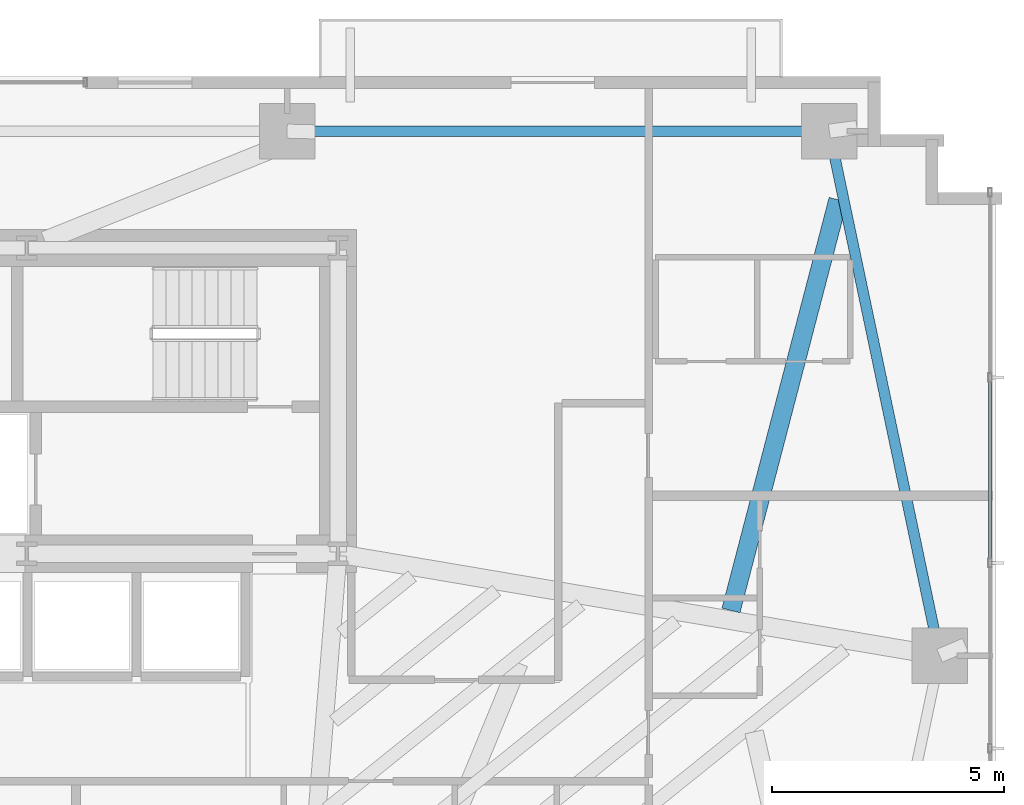
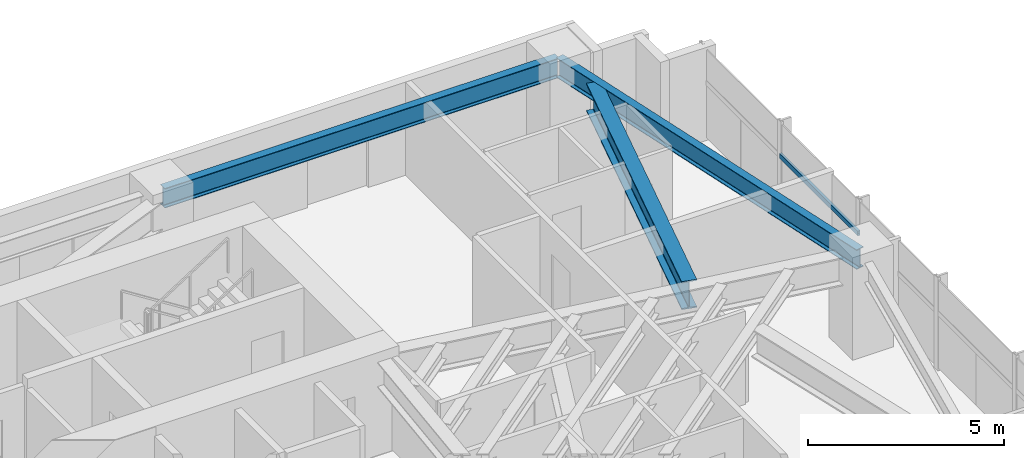
# One storey, part 16 of 25: 3 beams, 1 member, 1 element without a shape of its own.
"""IFC4 building model written with IfcOpenShell, lengths in metres."""

from ifc_helpers import new_model, si_unit, direction, frame, origin, origin_2d, place, context, subcontext, project, spatial, hollow_rectangle, i_section, extrude, source, transform, mapped, material, material_profile, profile_set, type_object, type_shapes, element, aggregate, save


model = new_model("IFC4")

# Units and contexts
model_context = context("Model", 3, precision=1e-05, world=origin(), true_north=direction((0.0, 1.0)))
body_context = subcontext(model_context, "Body", "Model", "MODEL_VIEW")
ifc_project = project(units=[si_unit("LENGTHUNIT", "METRE"), si_unit("AREAUNIT", "SQUARE_METRE"), si_unit("VOLUMEUNIT", "CUBIC_METRE"), si_unit("PLANEANGLEUNIT", "RADIAN"), si_unit("MASSUNIT", "GRAM", prefix="KILO")], contexts=[model_context])

# Site, building, storey
site_placement = place(None, origin())
site = spatial("IfcSite", under=ifc_project, at=site_placement, CompositionType="ELEMENT")
building_placement = place(site_placement, origin())
building = spatial("IfcBuilding", under=site, at=building_placement, Name="Astriad Promenade Condominiums", CompositionType="ELEMENT")
storey_placement = place(building_placement, frame((0.0, 0.0, 64.60009765625)))
storey = spatial("IfcBuildingStorey", under=building, at=storey_placement, Name="L18", CompositionType="ELEMENT", Elevation=64.60009765625)

# Beams
ifc_material_1 = material(Name="Steel ASTM A992 Grade 50", Category="steel")
ifc_material_profile_1 = material_profile(ifc_material_1, i_section(OverallWidth=0.22900390625, OverallDepth=0.612060546875, WebThickness=0.011962890625, FlangeThickness=0.01953125, FilletRadius=0.017822265625, at=origin_2d()), Name="W24X84")
ifc_profile_set_1 = profile_set([ifc_material_profile_1], Name="Steel ASTM A992 Grade 50")
beam_type_1 = type_object("IfcBeamType", Name="STEEL SPANDREL BEAM W24X84", PredefinedType="SPANDREL", material=ifc_profile_set_1)
shared_shape_1 = source(origin(), body_context, "Body", "SweptSolid", [
    extrude(i_section(OverallWidth=0.22900390625, OverallDepth=0.612060546875, WebThickness=0.011962890625, FlangeThickness=0.01953125, FilletRadius=0.017822265625, at=origin_2d()), origin(), (0.0, 0.0, 1.0), 11.619873046875),
])
beam_1_placement = place(storey_placement, frame((56.159912109375, 26.52001953125, 2.593994140625), z_axis=(-1.0, 0.0, 0.0), x_axis=(0.0, -1.0, 0.0)))
element("IfcBeam", 1, at=beam_1_placement, inside=storey, type_object=beam_type_1, Name="Perimeter Spandrel Beam SP-N4-L18", PredefinedType="SPANDREL", context=body_context, shape_type="MappedRepresentation", body=[
    mapped(shared_shape_1, transform((0.0, 0.0, 0.0), scale=1.0)),
])
shared_shape_2 = source(origin(), body_context, "Body", "SweptSolid", [
    extrude(i_section(OverallWidth=0.22900390625, OverallDepth=0.612060546875, WebThickness=0.011962890625, FlangeThickness=0.01953125, FilletRadius=0.017822265625, at=origin_2d()), origin(), (0.0, 0.0, 1.0), 11.48779296875),
])
type_shapes(beam_type_1, [shared_shape_1, shared_shape_2])
beam_2_placement = place(storey_placement, frame((58.57177734375, 15.239013671875, 2.593994140625), z_axis=(-0.205743776427, 0.978605895374, 0.0), x_axis=(-0.978605895374, -0.205743776427, 0.0)))
element("IfcBeam", 2, at=beam_2_placement, inside=storey, type_object=beam_type_1, Name="Perimeter Spandrel Beam SP-E2-L18", PredefinedType="SPANDREL", context=body_context, shape_type="MappedRepresentation", body=[
    mapped(shared_shape_2, transform((0.0, 0.0, 0.0), scale=1.0)),
])
ifc_material_profile_2 = material_profile(ifc_material_1, i_section(OverallWidth=0.4013671875, OverallDepth=0.877197265625, WebThickness=0.022216796875, FlangeThickness=0.039794921875, FilletRadius=0.02294921875, at=origin_2d()), Name="W33X263")
ifc_profile_set_2 = profile_set([ifc_material_profile_2], Name="Steel ASTM A992 Grade 50")
beam_type_2 = type_object("IfcBeamType", Name="STEEL TRANSFER CARRIER GIRDER W33X263", PredefinedType="BEAM", material=ifc_profile_set_2)
shared_shape_3 = source(origin(), body_context, "Body", "SweptSolid", [
    extrude(i_section(OverallWidth=0.4013671875, OverallDepth=0.877197265625, WebThickness=0.022216796875, FlangeThickness=0.039794921875, FilletRadius=0.02294921875, at=origin_2d()), origin(), (0.0, 0.0, 1.0), 9.158447265625),
])
type_shapes(beam_type_2, [shared_shape_3])
beam_3_placement = place(storey_placement, frame((54.07861328125, 16.176513671875, 2.461181640625), z_axis=(0.25236438305, 0.967632274249, 0.0), x_axis=(-0.967632274249, 0.25236438305, 0.0)))
element("IfcBeam", 3, at=beam_3_placement, inside=storey, type_object=beam_type_2, Name="Transfer Splice Carrier TRM-SP-PC10-L18", PredefinedType="BEAM", context=body_context, shape_type="MappedRepresentation", body=[
    mapped(shared_shape_3, transform((0.0, 0.0, 0.0), scale=1.0)),
])

# Curtain wall, member
ifc_material_2 = material(Name="Anodised aluminium Black Dark Glass Unitised", Category="aluminium")
curtain_wall_type = type_object("IfcCurtainWallType", Name="CW-B1-DARK", PredefinedType="USERDEFINED", material=ifc_material_2)
curtain_wall_placement = place(storey_placement, origin())
curtain_wall = element("IfcCurtainWall", 4, at=curtain_wall_placement, inside=storey, type_object=curtain_wall_type, Name="CW-L18-E", ObjectType="UNITISED_CURTAIN_WALL", PredefinedType="USERDEFINED")
ifc_material_3 = material(Name="Anodised aluminium 6063-T6 Black", Category="aluminium")
ifc_material_profile_3 = material_profile(ifc_material_3, hollow_rectangle(XDim=0.074951171875, YDim=0.14990234375, WallThickness=0.004150390625, at=origin_2d()), Name="ALU-TRN-75X150")
ifc_profile_set_3 = profile_set([ifc_material_profile_3], Name="Anodised aluminium 6063-T6 Black")
member_type = type_object("IfcMemberType", Name="TRN-ALU-TRN-75X150", PredefinedType="USERDEFINED", material=ifc_profile_set_3)
shared_shape_4 = source(origin(), body_context, "Body", "SweptSolid", [
    extrude(hollow_rectangle(XDim=0.074951171875, YDim=0.14990234375, WallThickness=0.004150390625, at=origin_2d()), origin(), (0.0, 0.0, 1.0), 4.0),
])
type_shapes(member_type, [shared_shape_4])
member_placement = place(storey_placement, frame((59.669921875, 21.199951171875, 1.7978515625), z_axis=(0.0, -1.0, 0.0), x_axis=(1.0, 0.0, 0.0)))
member = element("IfcMember", 5, at=member_placement, type_object=member_type, Name="CW-L18-E-TRN-01-0", ObjectType="TRANSOM", PredefinedType="USERDEFINED", context=body_context, shape_type="MappedRepresentation", body=[
    mapped(shared_shape_4, transform((0.0, 0.0, 0.0), scale=1.0)),
])
aggregate(curtain_wall, [member])

save(model, "model.ifc")
